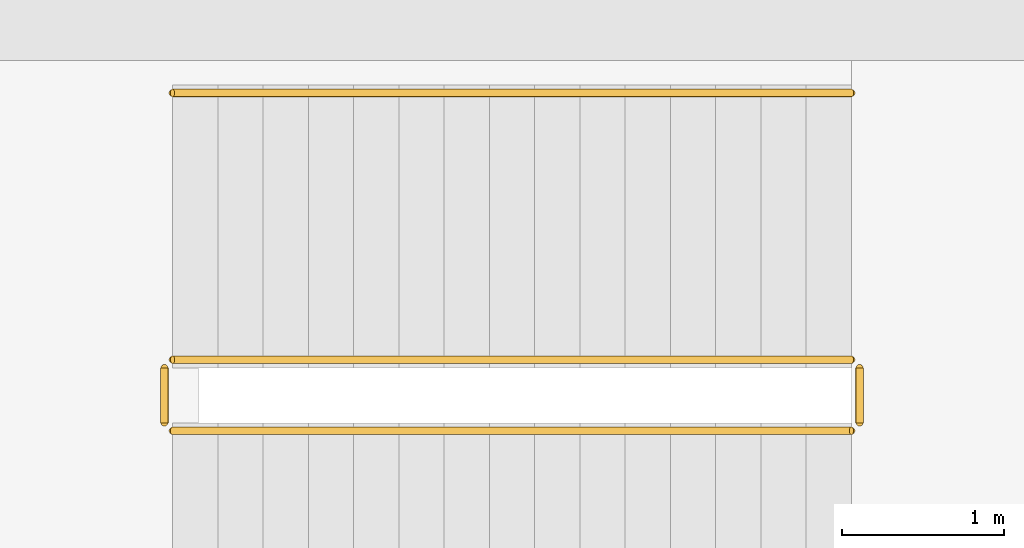
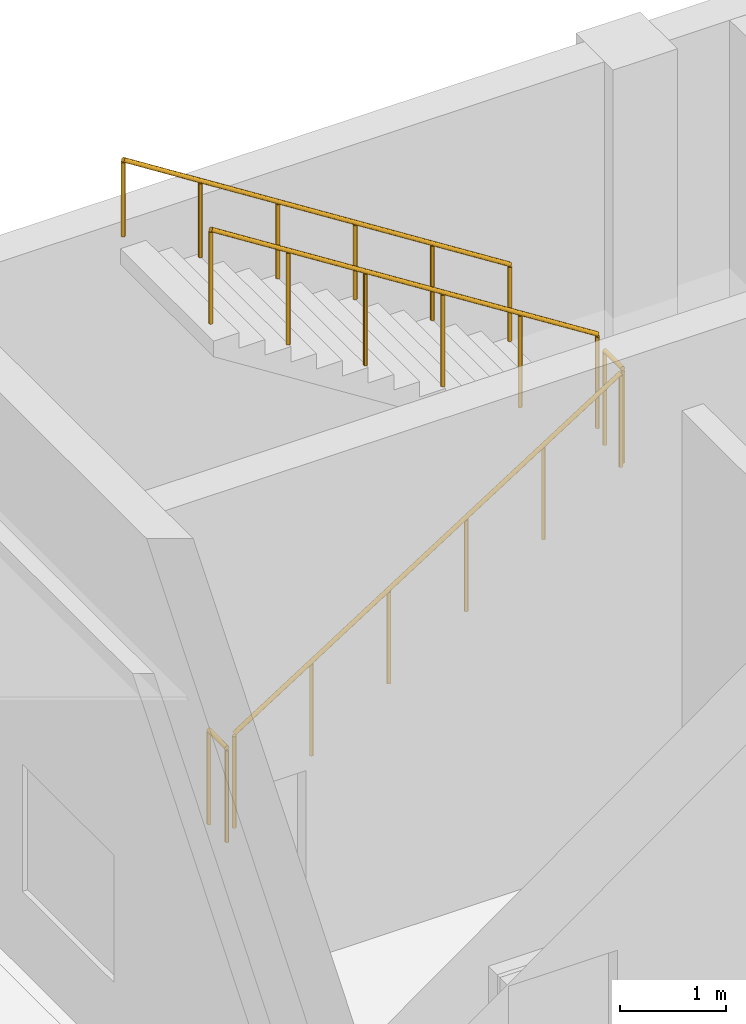
# One storey, part 49 of 49: 5 railings.
"""IFC4 building model written with IfcOpenShell, lengths in metres."""

from ifc_helpers import new_model, si_unit, direction, frame, origin, origin_2d, place, context, subcontext, project, spatial, circle, extrude, material, layer, layer_set, type_object, element, save


model = new_model("IFC4")

# Units and contexts
model_context = context("Model", 3, precision=1e-05, world=origin(), true_north=direction((0.0, 1.0)))
body_context = subcontext(model_context, "Body", "Model", "MODEL_VIEW")
ifc_project = project(units=[si_unit("LENGTHUNIT", "METRE"), si_unit("AREAUNIT", "SQUARE_METRE"), si_unit("VOLUMEUNIT", "CUBIC_METRE"), si_unit("PLANEANGLEUNIT", "RADIAN"), si_unit("MASSUNIT", "GRAM", prefix="KILO")], contexts=[model_context])

# Site, building, storey
site_placement = place(None, origin())
site = spatial("IfcSite", under=ifc_project, at=site_placement, CompositionType="ELEMENT")
building_placement = place(site_placement, origin())
building = spatial("IfcBuilding", under=site, at=building_placement, Name="Zulmaris Art Gallery", CompositionType="ELEMENT")
storey_placement = place(building_placement, frame((0.0, 0.0, 20.699951171875)))
storey = spatial("IfcBuildingStorey", under=building, at=storey_placement, Name="L04", CompositionType="ELEMENT", Elevation=20.699951171875)

# Railings
ifc_material_1 = material(Name="Steel S355J2", Category="steel")
ifc_layer_1 = layer(ifc_material_1, 0.050048828125)
ifc_layer_set_1 = layer_set([ifc_layer_1], Name="Steel S355J2")
railing_type_1 = type_object("IfcRailingType", Name="RAIL-STGRD", PredefinedType="GUARDRAIL", material=ifc_layer_set_1)
railing_1_placement = place(storey_placement, frame((186.300048828125, 73.110107421875, 0.17822265625)))
element("IfcRailing", 1, at=railing_1_placement, inside=storey, type_object=railing_type_1, Name="L04 ST4 stair guard 1", PredefinedType="GUARDRAIL", context=body_context, shape_type="SweptSolid", body=[
    extrude(circle(Radius=0.02392578125, at=origin_2d()), frame((0.0, 0.0, 1.076171875), z_axis=(0.843736202395, 0.0, 0.536758065396), x_axis=(0.0, 1.0, 0.0)), (0.0, 0.0, 1.0), 4.977783203125),
    extrude(circle(Radius=0.02099609375, at=origin_2d()), origin(), (0.0, 0.0, 1.0), 1.052001953125),
    extrude(circle(Radius=0.02099609375, at=origin_2d()), frame((0.840087890625, 0.0, 0.534423828125)), (0.0, 0.0, 1.0), 1.052001953125),
    extrude(circle(Radius=0.02099609375, at=origin_2d()), frame((1.679931640625, 0.0, 1.06884765625)), (0.0, 0.0, 1.0), 1.052001953125),
    extrude(circle(Radius=0.02099609375, at=origin_2d()), frame((2.52001953125, 0.0, 1.60302734375)), (0.0, 0.0, 1.0), 1.052001953125),
    extrude(circle(Radius=0.02099609375, at=origin_2d()), frame((3.35986328125, 0.0, 2.137451171875)), (0.0, 0.0, 1.0), 1.052001953125),
    extrude(circle(Radius=0.02099609375, at=origin_2d()), frame((4.199951171875, 0.0, 2.671875)), (0.0, 0.0, 1.0), 1.052001953125),
])
railing_2_placement = place(storey_placement, frame((190.550048828125, 73.159912109375, 2.85009765625)))
element("IfcRailing", 2, at=railing_2_placement, inside=storey, type_object=railing_type_1, Name="L04 ST4 stair guard 2", PredefinedType="GUARDRAIL", context=body_context, shape_type="SweptSolid", body=[
    extrude(circle(Radius=0.02392578125, at=origin_2d()), frame((0.0, 0.0, 1.076171875), z_axis=(0.0, 1.0, 0.0), x_axis=(-1.0, 0.0, 0.0)), (0.0, 0.0, 1.0), 0.340087890625),
    extrude(circle(Radius=0.02099609375, at=origin_2d()), origin(), (0.0, 0.0, 1.0), 1.052001953125),
    extrude(circle(Radius=0.02099609375, at=origin_2d()), frame((0.0, 0.340087890625, 0.0)), (0.0, 0.0, 1.0), 1.052001953125),
])
railing_3_placement = place(storey_placement, frame((190.5, 73.550048828125, 3.028076171875)))
element("IfcRailing", 3, at=railing_3_placement, inside=storey, type_object=railing_type_1, Name="L04 ST4 stair guard 3", PredefinedType="GUARDRAIL", context=body_context, shape_type="SweptSolid", body=[
    extrude(circle(Radius=0.02392578125, at=origin_2d()), frame((0.0, 0.0, 1.076171875), z_axis=(-0.843736202395, 0.0, 0.536758065396), x_axis=(0.0, -1.0, 0.0)), (0.0, 0.0, 1.0), 4.977783203125),
    extrude(circle(Radius=0.02099609375, at=origin_2d()), origin(), (0.0, 0.0, 1.0), 1.052001953125),
    extrude(circle(Radius=0.02099609375, at=origin_2d()), frame((-0.840087890625, 0.0, 0.534423828125)), (0.0, 0.0, 1.0), 1.052001953125),
    extrude(circle(Radius=0.02099609375, at=origin_2d()), frame((-1.679931640625, 0.0, 1.06884765625)), (0.0, 0.0, 1.0), 1.052001953125),
    extrude(circle(Radius=0.02099609375, at=origin_2d()), frame((-2.52001953125, 0.0, 1.60302734375)), (0.0, 0.0, 1.0), 1.052001953125),
    extrude(circle(Radius=0.02099609375, at=origin_2d()), frame((-3.35986328125, 0.0, 2.137451171875)), (0.0, 0.0, 1.0), 1.052001953125),
    extrude(circle(Radius=0.02099609375, at=origin_2d()), frame((-4.199951171875, 0.0, 2.671875)), (0.0, 0.0, 1.0), 1.052001953125),
])
railing_4_placement = place(storey_placement, frame((186.25, 73.159912109375, 0.0)))
element("IfcRailing", 4, at=railing_4_placement, inside=storey, type_object=railing_type_1, Name="L04 ST4 stair guard 4", PredefinedType="GUARDRAIL", context=body_context, shape_type="SweptSolid", body=[
    extrude(circle(Radius=0.02392578125, at=origin_2d()), frame((0.0, 0.0, 1.076171875), z_axis=(0.0, 1.0, 0.0), x_axis=(-1.0, 0.0, 0.0)), (0.0, 0.0, 1.0), 0.340087890625),
    extrude(circle(Radius=0.02099609375, at=origin_2d()), origin(), (0.0, 0.0, 1.0), 1.052001953125),
    extrude(circle(Radius=0.02099609375, at=origin_2d()), frame((0.0, 0.340087890625, 0.0)), (0.0, 0.0, 1.0), 1.052001953125),
])
ifc_material_2 = material(Name="Brushed Bronze Handrail", Category="steel")
ifc_layer_2 = layer(ifc_material_2, 0.048095703125)
ifc_layer_set_2 = layer_set([ifc_layer_2], Name="Brushed Bronze Handrail")
railing_type_2 = type_object("IfcRailingType", Name="RAIL-STHND", PredefinedType="HANDRAIL", material=ifc_layer_set_2)
railing_5_placement = place(storey_placement, frame((190.5, 75.199951171875, 3.028076171875)))
element("IfcRailing", 5, at=railing_5_placement, inside=storey, type_object=railing_type_2, Name="L04 ST4 stair handrail 2", PredefinedType="HANDRAIL", context=body_context, shape_type="SweptSolid", body=[
    extrude(circle(Radius=0.02392578125, at=origin_2d()), frame((0.0, 0.0, 0.8759765625), z_axis=(-0.843736202395, 0.0, 0.536758065396), x_axis=(0.0, -1.0, 0.0)), (0.0, 0.0, 1.0), 4.977783203125),
    extrude(circle(Radius=0.02099609375, at=origin_2d()), origin(), (0.0, 0.0, 1.0), 0.851806640625),
    extrude(circle(Radius=0.02099609375, at=origin_2d()), frame((-0.840087890625, 0.0, 0.534423828125)), (0.0, 0.0, 1.0), 0.851806640625),
    extrude(circle(Radius=0.02099609375, at=origin_2d()), frame((-1.679931640625, 0.0, 1.06884765625)), (0.0, 0.0, 1.0), 0.851806640625),
    extrude(circle(Radius=0.02099609375, at=origin_2d()), frame((-2.52001953125, 0.0, 1.60302734375)), (0.0, 0.0, 1.0), 0.851806640625),
    extrude(circle(Radius=0.02099609375, at=origin_2d()), frame((-3.35986328125, 0.0, 2.137451171875)), (0.0, 0.0, 1.0), 0.851806640625),
    extrude(circle(Radius=0.02099609375, at=origin_2d()), frame((-4.199951171875, 0.0, 2.671875)), (0.0, 0.0, 1.0), 0.851806640625),
])

save(model, "model.ifc")
